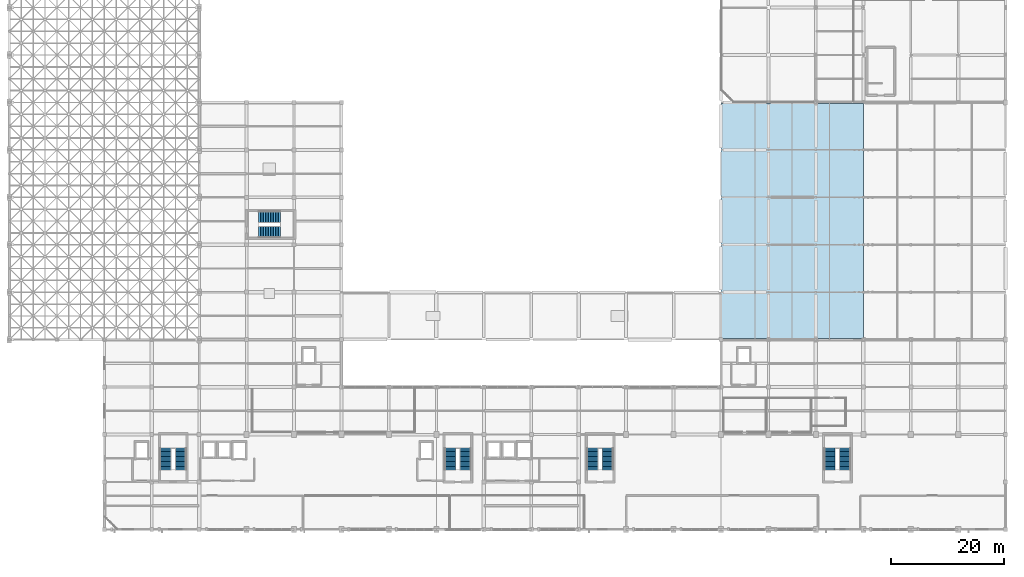
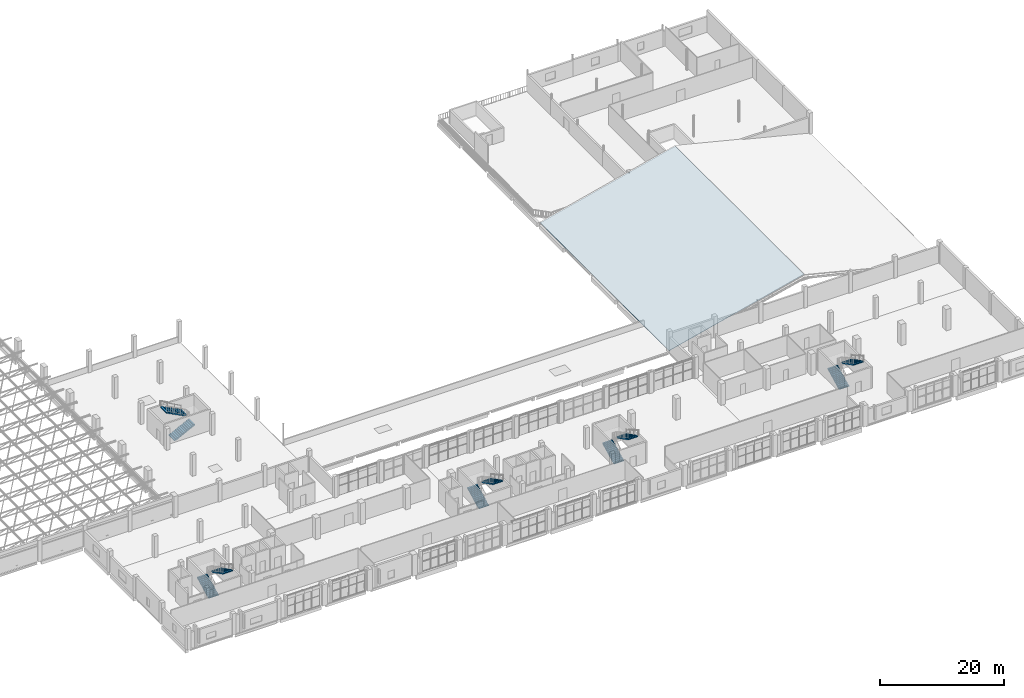
# One storey, part 59 of 64: 10 stair flights, 1 roof, 5 elements without a shape of their own.
"""IFC4 building model written with IfcOpenShell, lengths in metres."""

from ifc_helpers import new_model, si_unit, derived_unit, direction, frame, origin, place, context, subcontext, project, spatial, polyline, outline, extrude, material, layer, layer_set, type_object, element, aggregate, save


model = new_model("IFC4")

# Units and contexts
model_context = context("Model", 3, precision=1e-05, world=origin(), true_north=direction((0.0, 1.0)))
body_context = subcontext(model_context, "Body", "Model", "MODEL_VIEW")
ifc_project = project(units=[si_unit("LENGTHUNIT", "METRE"), si_unit("AREAUNIT", "SQUARE_METRE"), si_unit("VOLUMEUNIT", "CUBIC_METRE"), si_unit("PLANEANGLEUNIT", "RADIAN"), si_unit("MASSUNIT", "GRAM", prefix="KILO"), derived_unit("THERMALTRANSMITTANCEUNIT", [(si_unit("POWERUNIT", "WATT"), 1), (si_unit("LENGTHUNIT", "METRE"), -2), (si_unit("THERMODYNAMICTEMPERATUREUNIT", "KELVIN"), -1)])], contexts=[model_context])

# Site, building, storey
site_placement = place(None, origin())
site = spatial("IfcSite", under=ifc_project, at=site_placement, CompositionType="ELEMENT")
building_placement = place(site_placement, origin())
building = spatial("IfcBuilding", under=site, at=building_placement, Name="Barrovel Congress Hotel", CompositionType="ELEMENT")
storey_placement = place(building_placement, frame((0.0, 0.0, 14.10009765625)))
storey = spatial("IfcBuildingStorey", under=building, at=storey_placement, Name="L03", CompositionType="ELEMENT", Elevation=14.10009765625)

# Stair, stair flights
ifc_material_1 = material(Name="Concrete C40", Category="concrete")
stair_type_1 = type_object("IfcStairType", Name="STR-HT-420", PredefinedType="HALF_TURN_STAIR", material=ifc_material_1)
stair_1_placement = place(storey_placement, origin())
stair_1 = element("IfcStair", 1, at=stair_1_placement, inside=storey, type_object=stair_type_1, Name="Exit Stair XS-01 (L03)", PredefinedType="HALF_TURN_STAIR")
stair_flight_type_1 = type_object("IfcStairFlightType", Name="SFL-200x210", PredefinedType="STRAIGHT", material=ifc_material_1)
stair_flight_1_placement = place(storey_placement, frame((27.68994140625, 14.739990234375, 0.0), z_axis=(0.0, 0.0, 1.0), x_axis=(0.0, 1.0, 0.0)))
stair_flight_1 = element("IfcStairFlight", 2, at=stair_flight_1_placement, type_object=stair_flight_type_1, Name="STAIR:XS-01:L03:F1", NumberOfRisers=14, NumberOfTreads=13, PredefinedType="STRAIGHT", RiserHeight=0.15, TreadLength=0.295, context=body_context, shape_type="SweptSolid", body=[
    extrude(outline(polyline([(0.0, 0.0), (0.0, 0.14990234375), (0.294921875, 0.14990234375), (0.294921875, 0.300048828125), (0.590087890625, 0.300048828125), (0.590087890625, 0.449951171875), (0.885009765625, 0.449951171875), (0.885009765625, 0.60009765625), (1.179931640625, 0.60009765625), (1.179931640625, 0.75), (1.47509765625, 0.75), (1.47509765625, 0.89990234375), (1.77001953125, 0.89990234375), (1.77001953125, 1.050048828125), (2.06494140625, 1.050048828125), (2.06494140625, 1.199951171875), (2.360107421875, 1.199951171875), (2.360107421875, 1.35009765625), (2.655029296875, 1.35009765625), (2.655029296875, 1.5), (2.949951171875, 1.5), (2.949951171875, 1.64990234375), (3.2451171875, 1.64990234375), (3.2451171875, 1.800048828125), (3.5400390625, 1.800048828125), (3.5400390625, 1.949951171875), (3.8349609375, 1.949951171875), (3.8349609375, 2.10009765625), (3.8349609375, 1.748046875), (0.39697265625, 0.0), (0.0, 0.0)])), frame((0.0, 0.93017578125, 0.0), z_axis=(0.0, -1.0, 0.0), x_axis=(1.0, 0.0, 0.0)), (0.0, 0.0, 1.0), 1.860107421875),
])
stair_flight_2_placement = place(storey_placement, frame((30.31005859375, 18.574951171875, 2.099853515625), z_axis=(0.0, 0.0, 1.0), x_axis=(0.0, -1.0, 0.0)))
stair_flight_2 = element("IfcStairFlight", 3, at=stair_flight_2_placement, type_object=stair_flight_type_1, Name="STAIR:XS-01:L03:F2", NumberOfRisers=14, NumberOfTreads=13, PredefinedType="STRAIGHT", RiserHeight=0.15, TreadLength=0.295, context=body_context, shape_type="SweptSolid", body=[
    extrude(outline(polyline([(0.0, 0.0), (0.0, 0.14990234375), (0.294921875, 0.14990234375), (0.294921875, 0.300048828125), (0.590087890625, 0.300048828125), (0.590087890625, 0.449951171875), (0.885009765625, 0.449951171875), (0.885009765625, 0.60009765625), (1.179931640625, 0.60009765625), (1.179931640625, 0.75), (1.47509765625, 0.75), (1.47509765625, 0.89990234375), (1.77001953125, 0.89990234375), (1.77001953125, 1.050048828125), (2.06494140625, 1.050048828125), (2.06494140625, 1.199951171875), (2.360107421875, 1.199951171875), (2.360107421875, 1.35009765625), (2.655029296875, 1.35009765625), (2.655029296875, 1.5), (2.949951171875, 1.5), (2.949951171875, 1.64990234375), (3.2451171875, 1.64990234375), (3.2451171875, 1.800048828125), (3.5400390625, 1.800048828125), (3.5400390625, 1.949951171875), (3.8349609375, 1.949951171875), (3.8349609375, 2.10009765625), (3.8349609375, 1.748046875), (0.39697265625, 0.0), (0.0, 0.0)])), frame((0.0, 0.93017578125, 0.0), z_axis=(0.0, -1.0, 0.0), x_axis=(1.0, 0.0, 0.0)), (0.0, 0.0, 1.0), 1.860107421875),
])
aggregate(stair_1, [stair_flight_1, stair_flight_2])

stair_2_placement = place(storey_placement, origin())
stair_2 = element("IfcStair", 4, at=stair_2_placement, inside=storey, type_object=stair_type_1, Name="Exit Stair XS-02 (L03)", PredefinedType="HALF_TURN_STAIR")
stair_flight_3_placement = place(storey_placement, frame((78.090087890625, 14.739990234375, 0.0), z_axis=(0.0, 0.0, 1.0), x_axis=(0.0, 1.0, 0.0)))
stair_flight_3 = element("IfcStairFlight", 5, at=stair_flight_3_placement, type_object=stair_flight_type_1, Name="STAIR:XS-02:L03:F1", NumberOfRisers=14, NumberOfTreads=13, PredefinedType="STRAIGHT", RiserHeight=0.15, TreadLength=0.295, context=body_context, shape_type="SweptSolid", body=[
    extrude(outline(polyline([(0.0, 0.0), (0.0, 0.14990234375), (0.294921875, 0.14990234375), (0.294921875, 0.300048828125), (0.590087890625, 0.300048828125), (0.590087890625, 0.449951171875), (0.885009765625, 0.449951171875), (0.885009765625, 0.60009765625), (1.179931640625, 0.60009765625), (1.179931640625, 0.75), (1.47509765625, 0.75), (1.47509765625, 0.89990234375), (1.77001953125, 0.89990234375), (1.77001953125, 1.050048828125), (2.06494140625, 1.050048828125), (2.06494140625, 1.199951171875), (2.360107421875, 1.199951171875), (2.360107421875, 1.35009765625), (2.655029296875, 1.35009765625), (2.655029296875, 1.5), (2.949951171875, 1.5), (2.949951171875, 1.64990234375), (3.2451171875, 1.64990234375), (3.2451171875, 1.800048828125), (3.5400390625, 1.800048828125), (3.5400390625, 1.949951171875), (3.8349609375, 1.949951171875), (3.8349609375, 2.10009765625), (3.8349609375, 1.748046875), (0.39697265625, 0.0), (0.0, 0.0)])), frame((0.0, 0.93017578125, 0.0), z_axis=(0.0, -1.0, 0.0), x_axis=(1.0, 0.0, 0.0)), (0.0, 0.0, 1.0), 1.860107421875),
])
stair_flight_4_placement = place(storey_placement, frame((80.7099609375, 18.574951171875, 2.099853515625), z_axis=(0.0, 0.0, 1.0), x_axis=(0.0, -1.0, 0.0)))
stair_flight_4 = element("IfcStairFlight", 6, at=stair_flight_4_placement, type_object=stair_flight_type_1, Name="STAIR:XS-02:L03:F2", NumberOfRisers=14, NumberOfTreads=13, PredefinedType="STRAIGHT", RiserHeight=0.15, TreadLength=0.295, context=body_context, shape_type="SweptSolid", body=[
    extrude(outline(polyline([(0.0, 0.0), (0.0, 0.14990234375), (0.294921875, 0.14990234375), (0.294921875, 0.300048828125), (0.590087890625, 0.300048828125), (0.590087890625, 0.449951171875), (0.885009765625, 0.449951171875), (0.885009765625, 0.60009765625), (1.179931640625, 0.60009765625), (1.179931640625, 0.75), (1.47509765625, 0.75), (1.47509765625, 0.89990234375), (1.77001953125, 0.89990234375), (1.77001953125, 1.050048828125), (2.06494140625, 1.050048828125), (2.06494140625, 1.199951171875), (2.360107421875, 1.199951171875), (2.360107421875, 1.35009765625), (2.655029296875, 1.35009765625), (2.655029296875, 1.5), (2.949951171875, 1.5), (2.949951171875, 1.64990234375), (3.2451171875, 1.64990234375), (3.2451171875, 1.800048828125), (3.5400390625, 1.800048828125), (3.5400390625, 1.949951171875), (3.8349609375, 1.949951171875), (3.8349609375, 2.10009765625), (3.8349609375, 1.748046875), (0.39697265625, 0.0), (0.0, 0.0)])), frame((0.0, 0.93017578125, 0.0), z_axis=(0.0, -1.0, 0.0), x_axis=(1.0, 0.0, 0.0)), (0.0, 0.0, 1.0), 1.860107421875),
])
aggregate(stair_2, [stair_flight_3, stair_flight_4])

stair_3_placement = place(storey_placement, origin())
stair_3 = element("IfcStair", 7, at=stair_3_placement, inside=storey, type_object=stair_type_1, Name="Exit Stair XS-03 (L03)", PredefinedType="HALF_TURN_STAIR")
stair_flight_5_placement = place(storey_placement, frame((103.2900390625, 14.739990234375, 0.0), z_axis=(0.0, 0.0, 1.0), x_axis=(0.0, 1.0, 0.0)))
stair_flight_5 = element("IfcStairFlight", 8, at=stair_flight_5_placement, type_object=stair_flight_type_1, Name="STAIR:XS-03:L03:F1", NumberOfRisers=14, NumberOfTreads=13, PredefinedType="STRAIGHT", RiserHeight=0.15, TreadLength=0.295, context=body_context, shape_type="SweptSolid", body=[
    extrude(outline(polyline([(0.0, 0.0), (0.0, 0.14990234375), (0.294921875, 0.14990234375), (0.294921875, 0.300048828125), (0.590087890625, 0.300048828125), (0.590087890625, 0.449951171875), (0.885009765625, 0.449951171875), (0.885009765625, 0.60009765625), (1.179931640625, 0.60009765625), (1.179931640625, 0.75), (1.47509765625, 0.75), (1.47509765625, 0.89990234375), (1.77001953125, 0.89990234375), (1.77001953125, 1.050048828125), (2.06494140625, 1.050048828125), (2.06494140625, 1.199951171875), (2.360107421875, 1.199951171875), (2.360107421875, 1.35009765625), (2.655029296875, 1.35009765625), (2.655029296875, 1.5), (2.949951171875, 1.5), (2.949951171875, 1.64990234375), (3.2451171875, 1.64990234375), (3.2451171875, 1.800048828125), (3.5400390625, 1.800048828125), (3.5400390625, 1.949951171875), (3.8349609375, 1.949951171875), (3.8349609375, 2.10009765625), (3.8349609375, 1.748046875), (0.39697265625, 0.0), (0.0, 0.0)])), frame((0.0, 0.93017578125, 0.0), z_axis=(0.0, -1.0, 0.0), x_axis=(1.0, 0.0, 0.0)), (0.0, 0.0, 1.0), 1.860107421875),
])
stair_flight_6_placement = place(storey_placement, frame((105.909912109375, 18.574951171875, 2.099853515625), z_axis=(0.0, 0.0, 1.0), x_axis=(0.0, -1.0, 0.0)))
stair_flight_6 = element("IfcStairFlight", 9, at=stair_flight_6_placement, type_object=stair_flight_type_1, Name="STAIR:XS-03:L03:F2", NumberOfRisers=14, NumberOfTreads=13, PredefinedType="STRAIGHT", RiserHeight=0.15, TreadLength=0.295, context=body_context, shape_type="SweptSolid", body=[
    extrude(outline(polyline([(0.0, 0.0), (0.0, 0.14990234375), (0.294921875, 0.14990234375), (0.294921875, 0.300048828125), (0.590087890625, 0.300048828125), (0.590087890625, 0.449951171875), (0.885009765625, 0.449951171875), (0.885009765625, 0.60009765625), (1.179931640625, 0.60009765625), (1.179931640625, 0.75), (1.47509765625, 0.75), (1.47509765625, 0.89990234375), (1.77001953125, 0.89990234375), (1.77001953125, 1.050048828125), (2.06494140625, 1.050048828125), (2.06494140625, 1.199951171875), (2.360107421875, 1.199951171875), (2.360107421875, 1.35009765625), (2.655029296875, 1.35009765625), (2.655029296875, 1.5), (2.949951171875, 1.5), (2.949951171875, 1.64990234375), (3.2451171875, 1.64990234375), (3.2451171875, 1.800048828125), (3.5400390625, 1.800048828125), (3.5400390625, 1.949951171875), (3.8349609375, 1.949951171875), (3.8349609375, 2.10009765625), (3.8349609375, 1.748046875), (0.39697265625, 0.0), (0.0, 0.0)])), frame((0.0, 0.93017578125, 0.0), z_axis=(0.0, -1.0, 0.0), x_axis=(1.0, 0.0, 0.0)), (0.0, 0.0, 1.0), 1.860107421875),
])
aggregate(stair_3, [stair_flight_5, stair_flight_6])

stair_4_placement = place(storey_placement, origin())
stair_4 = element("IfcStair", 10, at=stair_4_placement, inside=storey, type_object=stair_type_1, Name="Exit Stair XS-04 (L03)", PredefinedType="HALF_TURN_STAIR")
stair_flight_7_placement = place(storey_placement, frame((145.2900390625, 14.739990234375, 0.0), z_axis=(0.0, 0.0, 1.0), x_axis=(0.0, 1.0, 0.0)))
stair_flight_7 = element("IfcStairFlight", 11, at=stair_flight_7_placement, type_object=stair_flight_type_1, Name="STAIR:XS-04:L03:F1", NumberOfRisers=14, NumberOfTreads=13, PredefinedType="STRAIGHT", RiserHeight=0.15, TreadLength=0.295, context=body_context, shape_type="SweptSolid", body=[
    extrude(outline(polyline([(0.0, 0.0), (0.0, 0.14990234375), (0.294921875, 0.14990234375), (0.294921875, 0.300048828125), (0.590087890625, 0.300048828125), (0.590087890625, 0.449951171875), (0.885009765625, 0.449951171875), (0.885009765625, 0.60009765625), (1.179931640625, 0.60009765625), (1.179931640625, 0.75), (1.47509765625, 0.75), (1.47509765625, 0.89990234375), (1.77001953125, 0.89990234375), (1.77001953125, 1.050048828125), (2.06494140625, 1.050048828125), (2.06494140625, 1.199951171875), (2.360107421875, 1.199951171875), (2.360107421875, 1.35009765625), (2.655029296875, 1.35009765625), (2.655029296875, 1.5), (2.949951171875, 1.5), (2.949951171875, 1.64990234375), (3.2451171875, 1.64990234375), (3.2451171875, 1.800048828125), (3.5400390625, 1.800048828125), (3.5400390625, 1.949951171875), (3.8349609375, 1.949951171875), (3.8349609375, 2.10009765625), (3.8349609375, 1.748046875), (0.39697265625, 0.0), (0.0, 0.0)])), frame((0.0, 0.93017578125, 0.0), z_axis=(0.0, -1.0, 0.0), x_axis=(1.0, 0.0, 0.0)), (0.0, 0.0, 1.0), 1.860107421875),
])
stair_flight_8_placement = place(storey_placement, frame((147.909912109375, 18.574951171875, 2.099853515625), z_axis=(0.0, 0.0, 1.0), x_axis=(0.0, -1.0, 0.0)))
stair_flight_8 = element("IfcStairFlight", 12, at=stair_flight_8_placement, type_object=stair_flight_type_1, Name="STAIR:XS-04:L03:F2", NumberOfRisers=14, NumberOfTreads=13, PredefinedType="STRAIGHT", RiserHeight=0.15, TreadLength=0.295, context=body_context, shape_type="SweptSolid", body=[
    extrude(outline(polyline([(0.0, 0.0), (0.0, 0.14990234375), (0.294921875, 0.14990234375), (0.294921875, 0.300048828125), (0.590087890625, 0.300048828125), (0.590087890625, 0.449951171875), (0.885009765625, 0.449951171875), (0.885009765625, 0.60009765625), (1.179931640625, 0.60009765625), (1.179931640625, 0.75), (1.47509765625, 0.75), (1.47509765625, 0.89990234375), (1.77001953125, 0.89990234375), (1.77001953125, 1.050048828125), (2.06494140625, 1.050048828125), (2.06494140625, 1.199951171875), (2.360107421875, 1.199951171875), (2.360107421875, 1.35009765625), (2.655029296875, 1.35009765625), (2.655029296875, 1.5), (2.949951171875, 1.5), (2.949951171875, 1.64990234375), (3.2451171875, 1.64990234375), (3.2451171875, 1.800048828125), (3.5400390625, 1.800048828125), (3.5400390625, 1.949951171875), (3.8349609375, 1.949951171875), (3.8349609375, 2.10009765625), (3.8349609375, 1.748046875), (0.39697265625, 0.0), (0.0, 0.0)])), frame((0.0, 0.93017578125, 0.0), z_axis=(0.0, -1.0, 0.0), x_axis=(1.0, 0.0, 0.0)), (0.0, 0.0, 1.0), 1.860107421875),
])
aggregate(stair_4, [stair_flight_7, stair_flight_8])

stair_type_2 = type_object("IfcStairType", Name="STR-DR-420", PredefinedType="DOUBLE_RETURN_STAIR", material=ifc_material_1)
stair_5_placement = place(storey_placement, origin())
stair_5 = element("IfcStair", 13, at=stair_5_placement, inside=storey, type_object=stair_type_2, Name="Exit Stair XS-05 (L03)", PredefinedType="DOUBLE_RETURN_STAIR")
stair_flight_type_2 = type_object("IfcStairFlightType", Name="SFL-205x210", PredefinedType="STRAIGHT", material=ifc_material_1)
stair_flight_9_placement = place(storey_placement, frame((44.139892578125, 56.89990234375, 0.0), z_axis=(0.0, 0.0, 1.0), x_axis=(1.0, 0.0, 0.0)))
stair_flight_9 = element("IfcStairFlight", 14, at=stair_flight_9_placement, type_object=stair_flight_type_2, Name="STAIR:XS-05:L03:F1", NumberOfRisers=14, NumberOfTreads=13, PredefinedType="STRAIGHT", RiserHeight=0.15, TreadLength=0.295, context=body_context, shape_type="SweptSolid", body=[
    extrude(outline(polyline([(0.0, 0.0), (0.0, 0.14990234375), (0.294921875, 0.14990234375), (0.294921875, 0.300048828125), (0.590087890625, 0.300048828125), (0.590087890625, 0.449951171875), (0.885009765625, 0.449951171875), (0.885009765625, 0.60009765625), (1.179931640625, 0.60009765625), (1.179931640625, 0.75), (1.47509765625, 0.75), (1.47509765625, 0.89990234375), (1.77001953125, 0.89990234375), (1.77001953125, 1.050048828125), (2.06494140625, 1.050048828125), (2.06494140625, 1.199951171875), (2.360107421875, 1.199951171875), (2.360107421875, 1.35009765625), (2.655029296875, 1.35009765625), (2.655029296875, 1.5), (2.949951171875, 1.5), (2.949951171875, 1.64990234375), (3.2451171875, 1.64990234375), (3.2451171875, 1.800048828125), (3.5400390625, 1.800048828125), (3.5400390625, 1.949951171875), (3.8349609375, 1.949951171875), (3.8349609375, 2.10009765625), (3.8349609375, 1.748046875), (0.39697265625, 0.0), (0.0, 0.0)])), frame((0.0, 0.93994140625, 0.0), z_axis=(0.0, -1.0, 0.0), x_axis=(1.0, 0.0, 0.0)), (0.0, 0.0, 1.0), 1.8798828125),
])
stair_flight_10_placement = place(storey_placement, frame((47.97509765625, 59.5, 2.099853515625), z_axis=(0.0, 0.0, 1.0), x_axis=(-1.0, 0.0, 0.0)))
stair_flight_10 = element("IfcStairFlight", 15, at=stair_flight_10_placement, type_object=stair_flight_type_2, Name="STAIR:XS-05:L03:F2", NumberOfRisers=14, NumberOfTreads=13, PredefinedType="STRAIGHT", RiserHeight=0.15, TreadLength=0.295, context=body_context, shape_type="SweptSolid", body=[
    extrude(outline(polyline([(0.0, 0.0), (0.0, 0.14990234375), (0.294921875, 0.14990234375), (0.294921875, 0.300048828125), (0.590087890625, 0.300048828125), (0.590087890625, 0.449951171875), (0.885009765625, 0.449951171875), (0.885009765625, 0.60009765625), (1.179931640625, 0.60009765625), (1.179931640625, 0.75), (1.47509765625, 0.75), (1.47509765625, 0.89990234375), (1.77001953125, 0.89990234375), (1.77001953125, 1.050048828125), (2.06494140625, 1.050048828125), (2.06494140625, 1.199951171875), (2.360107421875, 1.199951171875), (2.360107421875, 1.35009765625), (2.655029296875, 1.35009765625), (2.655029296875, 1.5), (2.949951171875, 1.5), (2.949951171875, 1.64990234375), (3.2451171875, 1.64990234375), (3.2451171875, 1.800048828125), (3.5400390625, 1.800048828125), (3.5400390625, 1.949951171875), (3.8349609375, 1.949951171875), (3.8349609375, 2.10009765625), (3.8349609375, 1.748046875), (0.39697265625, 0.0), (0.0, 0.0)])), frame((0.0, 0.93994140625, 0.0), z_axis=(0.0, -1.0, 0.0), x_axis=(1.0, 0.0, 0.0)), (0.0, 0.0, 1.0), 1.8798828125),
])
aggregate(stair_5, [stair_flight_9, stair_flight_10])

# Roof
ifc_material_2 = material(Name="Concrete C35", Category="concrete")
ifc_layer = layer(ifc_material_2, 0.159912109375)
ifc_layer_set = layer_set([ifc_layer], Name="Concrete C35")
roof_type = type_object("IfcRoofType", Name="ROOF-GABLE", PredefinedType="GABLE_ROOF", material=ifc_layer_set)
roof_placement = place(storey_placement, frame((126.0, 38.0, 0.02001953125), z_axis=(-0.24191846946, 0.0, 0.970296580502), x_axis=(0.970296580502, 0.0, 0.24191846946)))
element("IfcRoof", 16, at=roof_placement, inside=storey, type_object=roof_type, Name="Grand Ballroom Gable Roof", PredefinedType="GABLE_ROOF", context=body_context, shape_type="SweptSolid", body=[
    extrude(outline(polyline([(0.0, 0.0), (25.971390272070973, 0.0), (25.971390272070973, 41.60009765624999), (0.0, 41.60009765624999), (0.0, 0.0)])), origin(), (0.0, 0.0, -1.0), 0.06005859375),
])

save(model, "model.ifc")
